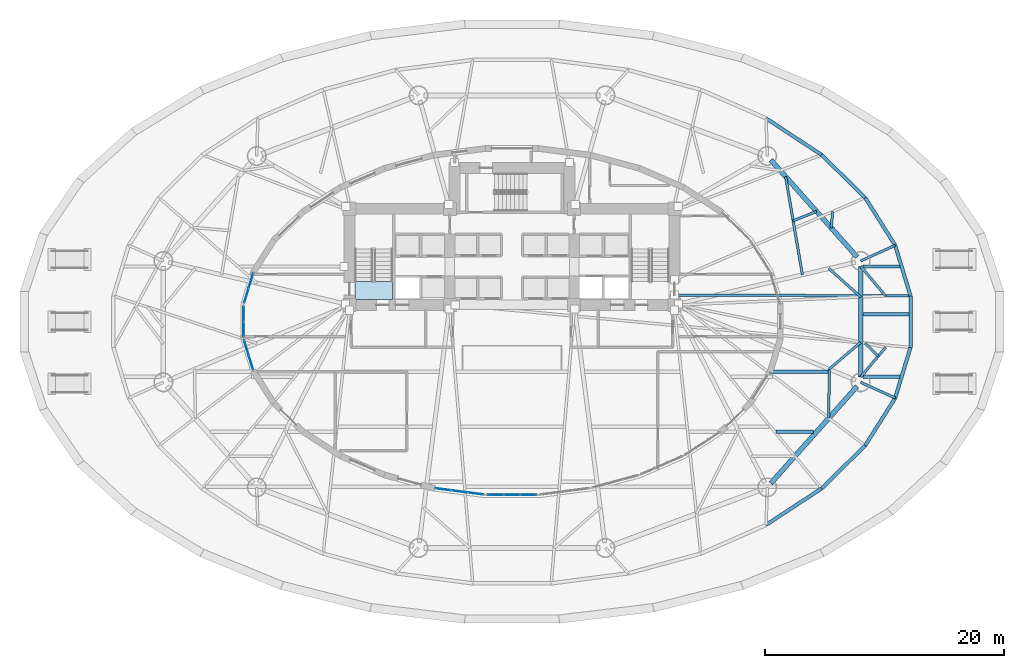
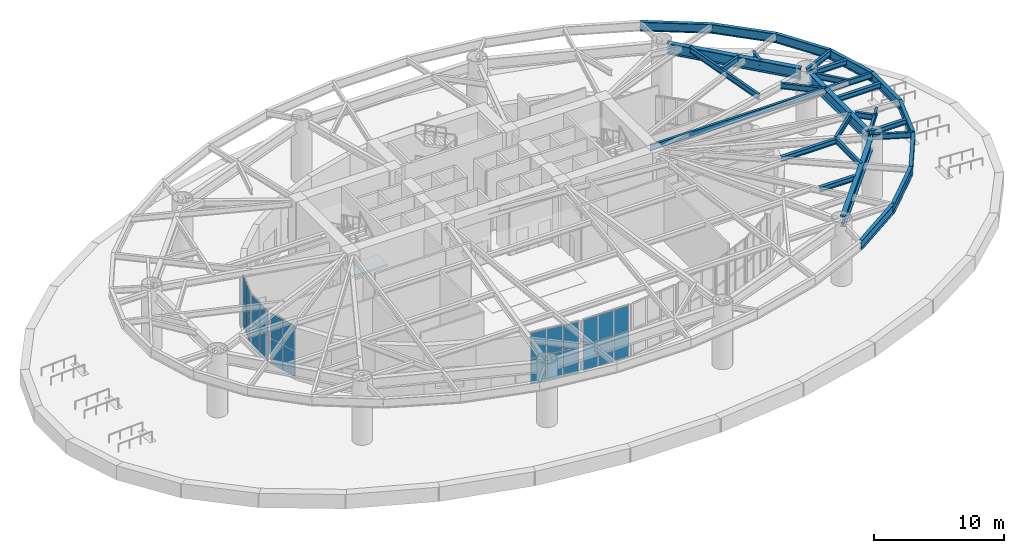
# One storey, part 10 of 21: 29 beams, 24 plates, 1 slab, 6 elements without a shape of their own.
"""IFC4 building model written with IfcOpenShell, lengths in metres."""

from ifc_helpers import new_model, si_unit, direction, frame, origin, origin_2d, place, context, subcontext, project, spatial, polyline, rectangle, i_section, outline, extrude, material, layer, layer_set, material_profile, profile_set, type_object, element, aggregate, save


model = new_model("IFC4")

# Units and contexts
model_context = context("Model", 3, precision=1e-05, world=origin(), true_north=direction((0.0, 1.0)))
body_context = subcontext(model_context, "Body", "Model", "MODEL_VIEW")
ifc_project = project(units=[si_unit("LENGTHUNIT", "METRE"), si_unit("AREAUNIT", "SQUARE_METRE"), si_unit("VOLUMEUNIT", "CUBIC_METRE"), si_unit("PLANEANGLEUNIT", "RADIAN"), si_unit("MASSUNIT", "GRAM", prefix="KILO")], contexts=[model_context])

# Site, building, storey
site_placement = place(None, origin())
site = spatial("IfcSite", under=ifc_project, at=site_placement, CompositionType="ELEMENT")
building_placement = place(site_placement, origin())
building = spatial("IfcBuilding", under=site, at=building_placement, Name="Keldmark Tower", CompositionType="ELEMENT")
storey_placement = place(building_placement, origin())
storey = spatial("IfcBuildingStorey", under=building, at=storey_placement, Name="L00", CompositionType="ELEMENT", Elevation=0.0)

# Beams
ifc_material_1 = material(Name="Steel ASTM A992 Grade 50", Category="steel")
ifc_material_profile_1 = material_profile(ifc_material_1, i_section(OverallWidth=0.280029296875, OverallDepth=0.462890625, WebThickness=0.0107421875, FlangeThickness=0.017333984375, at=origin_2d()), Name="W18X76")
ifc_profile_set_1 = profile_set([ifc_material_profile_1], Name="Steel ASTM A992 Grade 50")
beam_type_1 = type_object("IfcBeamType", Name="Composite Floor Joist W18X76", PredefinedType="JOIST", material=ifc_profile_set_1)
beam_1_placement = place(storey_placement, frame((22.09814453125, -9.199951171875, 5.548583984375), z_axis=(1.0, 0.0, 0.0), x_axis=(0.0, 1.0, 0.0)))
element("IfcBeam", 1, at=beam_1_placement, inside=storey, type_object=beam_type_1, Name="L00 Composite Floor Joist J16", PredefinedType="JOIST", context=body_context, shape_type="SweptSolid", body=[
    extrude(i_section(OverallWidth=0.280029296875, OverallDepth=0.462890625, WebThickness=0.0107421875, FlangeThickness=0.017333984375, at=origin_2d()), origin(), (0.0, 0.0, 1.0), 3.142822265625),
])
beam_2_placement = place(storey_placement, frame((21.55712890625, -4.179931640625, 5.548583984375), z_axis=(1.0, 0.0, 0.0), x_axis=(0.0, 1.0, 0.0)))
element("IfcBeam", 2, at=beam_2_placement, inside=storey, type_object=beam_type_1, Name="L00 Composite Floor Joist J24", PredefinedType="JOIST", context=body_context, shape_type="SweptSolid", body=[
    extrude(i_section(OverallWidth=0.280029296875, OverallDepth=0.462890625, WebThickness=0.0107421875, FlangeThickness=0.017333984375, at=origin_2d()), origin(), (0.0, 0.0, 1.0), 4.87646484375),
])
beam_3_placement = place(storey_placement, frame((29.363037109375, -4.60009765625, 5.548583984375), z_axis=(1.0, 0.0, 0.0), x_axis=(0.0, 1.0, 0.0)))
element("IfcBeam", 3, at=beam_3_placement, inside=storey, type_object=beam_type_1, Name="L00 Composite Floor Joist J25", PredefinedType="JOIST", context=body_context, shape_type="SweptSolid", body=[
    extrude(i_section(OverallWidth=0.280029296875, OverallDepth=0.462890625, WebThickness=0.0107421875, FlangeThickness=0.017333984375, at=origin_2d()), origin(), (0.0, 0.0, 1.0), 3.092041015625),
])
beam_4_placement = place(storey_placement, frame((29.363037109375, 0.6201171875, 5.548583984375), z_axis=(1.0, 0.0, 0.0), x_axis=(0.0, 1.0, 0.0)))
element("IfcBeam", 4, at=beam_4_placement, inside=storey, type_object=beam_type_1, Name="L00 Composite Floor Joist J26", PredefinedType="JOIST", context=body_context, shape_type="SweptSolid", body=[
    extrude(i_section(OverallWidth=0.280029296875, OverallDepth=0.462890625, WebThickness=0.0107421875, FlangeThickness=0.017333984375, at=origin_2d()), origin(), (0.0, 0.0, 1.0), 3.838623046875),
])
beam_5_placement = place(storey_placement, frame((29.363037109375, 4.6201171875, 5.548583984375), z_axis=(1.0, 0.0, 0.0), x_axis=(0.0, 1.0, 0.0)))
element("IfcBeam", 5, at=beam_5_placement, inside=storey, type_object=beam_type_1, Name="L00 Composite Floor Joist J29", PredefinedType="JOIST", context=body_context, shape_type="SweptSolid", body=[
    extrude(i_section(OverallWidth=0.280029296875, OverallDepth=0.462890625, WebThickness=0.0107421875, FlangeThickness=0.017333984375, at=origin_2d()), origin(), (0.0, 0.0, 1.0), 3.086181640625),
])
ifc_material_2 = material(Name="Steel ASTM A992 Grade 50", Category="steel")
ifc_material_profile_2 = material_profile(ifc_material_2, i_section(OverallWidth=0.402099609375, OverallDepth=1.011962890625, WebThickness=0.023681640625, FlangeThickness=0.0419921875, at=origin_2d()), Name="W40X297")
ifc_profile_set_2 = profile_set([ifc_material_profile_2], Name="Steel ASTM A992 Grade 50")
beam_type_2 = type_object("IfcBeamType", Name="Podium Primary Girder W40X297", PredefinedType="BEAM", material=ifc_profile_set_2)
for number, where, z_axis, x_axis, name in (
    (6, (28.871826171875, 5.4091796875, 5.27392578125), (-0.66464984112, 0.747154996436, 0.0), (-0.747154996436, -0.66464984112, 0.0), "L00 Podium Ring Girder PG-R01"),
    (7, (21.65380859375, -13.523193359375, 5.27392578125), (0.66464984112, 0.747154996436, 0.0), (-0.747154996436, 0.66464984112, 0.0), "L00 Podium Ring Girder PG-R11"),
):
    element("IfcBeam", number, at=place(storey_placement, frame(where, z_axis=z_axis, x_axis=x_axis)), inside=storey, type_object=beam_type_2, Name=name, PredefinedType="BEAM", context=body_context, shape_type="SweptSolid", body=[
        extrude(i_section(OverallWidth=0.402099609375, OverallDepth=1.011962890625, WebThickness=0.023681640625, FlangeThickness=0.0419921875, at=origin_2d()), origin(), (0.0, 0.0, 1.0), 10.85986328125),
    ])
beam_6_placement = place(storey_placement, frame((29.1708984375, -4.622802734375, 5.27392578125), z_axis=(0.0, 1.0, 0.0), x_axis=(-1.0, 0.0, 0.0)))
element("IfcBeam", 8, at=beam_6_placement, inside=storey, type_object=beam_type_2, Name="L00 Podium Ring Girder PG-R12", PredefinedType="BEAM", context=body_context, shape_type="SweptSolid", body=[
    extrude(i_section(OverallWidth=0.402099609375, OverallDepth=1.011962890625, WebThickness=0.023681640625, FlangeThickness=0.0419921875, at=origin_2d()), origin(), (0.0, 0.0, 1.0), 9.24560546875),
])
ifc_material_3 = material(Name="Steel ASTM A992 Grade 50", Category="steel")
ifc_material_profile_3 = material_profile(ifc_material_3, i_section(OverallWidth=0.2099609375, OverallDepth=0.537109375, WebThickness=0.010986328125, FlangeThickness=0.017333984375, at=origin_2d()), Name="W21X68")
ifc_profile_set_3 = profile_set([ifc_material_profile_3], Name="Steel ASTM A992 Grade 50")
beam_type_3 = type_object("IfcBeamType", Name="Radial Tie Girder W21X68", PredefinedType="BEAM", material=ifc_profile_set_3)
beam_7_placement = place(storey_placement, frame((24.29541015625, 3.9228515625, 5.511474609375), z_axis=(-0.168727090465, 0.985662806919, 0.0), x_axis=(-0.985662806919, -0.168727090465, 0.0)))
element("IfcBeam", 9, at=beam_7_placement, inside=storey, type_object=beam_type_3, Name="L00 Framing Pin Header PH-001", PredefinedType="BEAM", context=body_context, shape_type="SweptSolid", body=[
    extrude(i_section(OverallWidth=0.2099609375, OverallDepth=0.537109375, WebThickness=0.010986328125, FlangeThickness=0.017333984375, at=origin_2d()), origin(), (0.0, 0.0, 1.0), 8.330078125),
])
beam_8_placement = place(storey_placement, frame((23.522216796875, 8.438720703125, 5.511474609375), z_axis=(0.927707623582, 0.373307601246, 0.0), x_axis=(-0.373307601246, 0.927707623582, 0.0)))
element("IfcBeam", 10, at=beam_8_placement, inside=storey, type_object=beam_type_3, Name="L00 Framing Pin Header PH-003", PredefinedType="BEAM", context=body_context, shape_type="SweptSolid", body=[
    extrude(i_section(OverallWidth=0.2099609375, OverallDepth=0.537109375, WebThickness=0.010986328125, FlangeThickness=0.017333984375, at=origin_2d()), origin(), (0.0, 0.0, 1.0), 2.107177734375),
])
beam_9_placement = place(storey_placement, frame((26.51416015625, 4.4462890625, 5.511474609375), z_axis=(0.744612831235, -0.667496615392, 0.0), x_axis=(0.667496615392, 0.744612831235, 0.0)))
element("IfcBeam", 11, at=beam_9_placement, inside=storey, type_object=beam_type_3, Name="L00 Framing Pin Header PH-005", PredefinedType="BEAM", context=body_context, shape_type="SweptSolid", body=[
    extrude(i_section(OverallWidth=0.2099609375, OverallDepth=0.537109375, WebThickness=0.010986328125, FlangeThickness=0.017333984375, at=origin_2d()), origin(), (0.0, 0.0, 1.0), 3.56787109375),
])
beam_10_placement = place(storey_placement, frame((29.1708984375, 4.622802734375, 5.511474609375), z_axis=(0.645420110105, -0.763827782601, 0.0), x_axis=(0.763827782601, 0.645420110105, 0.0)))
element("IfcBeam", 12, at=beam_10_placement, inside=storey, type_object=beam_type_3, Name="L00 Local Collector Chord RT-01C", PredefinedType="BEAM", context=body_context, shape_type="SweptSolid", body=[
    extrude(i_section(OverallWidth=0.2099609375, OverallDepth=0.537109375, WebThickness=0.010986328125, FlangeThickness=0.017333984375, at=origin_2d()), origin(), (0.0, 0.0, 1.0), 3.228759765625),
])
beam_11_placement = place(storey_placement, frame((13.60009765625, 2.228515625, 5.511474609375), z_axis=(0.999993343278, -0.003648753061, 0.0), x_axis=(0.003648753061, 0.999993343278, 0.0)))
element("IfcBeam", 13, at=beam_11_placement, inside=storey, type_object=beam_type_3, Name="L00 Perimeter Radial Tie Girder RT-01", PredefinedType="BEAM", context=body_context, shape_type="SweptSolid", body=[
    extrude(i_section(OverallWidth=0.2099609375, OverallDepth=0.537109375, WebThickness=0.010986328125, FlangeThickness=0.017333984375, at=origin_2d()), origin(), (0.0, 0.0, 1.0), 19.73876953125),
])
beam_12_placement = place(storey_placement, frame((29.1708984375, 5.072998046875, 5.511474609375), z_axis=(0.910237250682, 0.414087125458, 0.0), x_axis=(-0.414087125458, 0.910237250682, 0.0)))
element("IfcBeam", 14, at=beam_12_placement, inside=storey, type_object=beam_type_3, Name="L00 Perimeter Column Bracket RT-02", PredefinedType="BEAM", context=body_context, shape_type="SweptSolid", body=[
    extrude(i_section(OverallWidth=0.2099609375, OverallDepth=0.537109375, WebThickness=0.010986328125, FlangeThickness=0.017333984375, at=origin_2d()), origin(), (0.0, 0.0, 1.0), 3.17138671875),
])
beam_13_placement = place(storey_placement, frame((26.706298828125, 7.84326171875, 5.511474609375), z_axis=(0.085228110201, 0.996361465148, 0.0), x_axis=(-0.996361465148, 0.085228110201, 0.0)))
element("IfcBeam", 15, at=beam_13_placement, inside=storey, type_object=beam_type_3, Name="L00 Framing Pin Header PH-006", PredefinedType="BEAM", context=body_context, shape_type="SweptSolid", body=[
    extrude(i_section(OverallWidth=0.2099609375, OverallDepth=0.537109375, WebThickness=0.010986328125, FlangeThickness=0.017333984375, at=origin_2d()), origin(), (0.0, 0.0, 1.0), 1.360595703125),
])
beam_14_placement = place(storey_placement, frame((26.53076171875, -3.975341796875, 5.511474609375), z_axis=(-0.005253345215, -0.999986201087, 0.0), x_axis=(0.999986201087, -0.005253345215, 0.0)))
element("IfcBeam", 16, at=beam_14_placement, inside=storey, type_object=beam_type_3, Name="L00 Framing Pin Header PH-023", PredefinedType="BEAM", context=body_context, shape_type="SweptSolid", body=[
    extrude(i_section(OverallWidth=0.2099609375, OverallDepth=0.537109375, WebThickness=0.010986328125, FlangeThickness=0.017333984375, at=origin_2d()), origin(), (0.0, 0.0, 1.0), 4.089599609375),
])
beam_15_placement = place(storey_placement, frame((29.1708984375, -5.072998046875, 5.511474609375), z_axis=(0.910237250682, -0.414087125458, 0.0), x_axis=(0.414087125458, 0.910237250682, 0.0)))
element("IfcBeam", 17, at=beam_15_placement, inside=storey, type_object=beam_type_3, Name="L00 Perimeter Column Bracket RT-31", PredefinedType="BEAM", context=body_context, shape_type="SweptSolid", body=[
    extrude(i_section(OverallWidth=0.2099609375, OverallDepth=0.537109375, WebThickness=0.010986328125, FlangeThickness=0.017333984375, at=origin_2d()), origin(), (0.0, 0.0, 1.0), 3.17138671875),
])
beam_16_placement = place(storey_placement, frame((26.53076171875, -3.975341796875, 5.511474609375), z_axis=(0.761136412742, 0.648591829426, 0.0), x_axis=(-0.648591829426, 0.761136412742, 0.0)))
element("IfcBeam", 18, at=beam_16_placement, inside=storey, type_object=beam_type_3, Name="L00 Framing Pin Header PH-024", PredefinedType="BEAM", context=body_context, shape_type="SweptSolid", body=[
    extrude(i_section(OverallWidth=0.2099609375, OverallDepth=0.537109375, WebThickness=0.010986328125, FlangeThickness=0.017333984375, at=origin_2d()), origin(), (0.0, 0.0, 1.0), 3.46875),
])
beam_17_placement = place(storey_placement, frame((29.1708984375, -4.622802734375, 5.511474609375), z_axis=(0.645420110105, 0.763827782601, 0.0), x_axis=(-0.763827782601, 0.645420110105, 0.0)))
element("IfcBeam", 19, at=beam_17_placement, inside=storey, type_object=beam_type_3, Name="L00 Local Collector Chord RT-32C", PredefinedType="BEAM", context=body_context, shape_type="SweptSolid", body=[
    extrude(i_section(OverallWidth=0.2099609375, OverallDepth=0.537109375, WebThickness=0.010986328125, FlangeThickness=0.017333984375, at=origin_2d()), origin(), (0.0, 0.0, 1.0), 3.228759765625),
])
beam_18_placement = place(storey_placement, frame((30.629638671875, -2.896240234375, 5.511474609375), z_axis=(-0.70607952817, 0.70813254402, 0.0), x_axis=(-0.70813254402, -0.70607952817, 0.0)))
element("IfcBeam", 20, at=beam_18_placement, inside=storey, type_object=beam_type_3, Name="L00 Framing Pin Header PH-025", PredefinedType="BEAM", context=body_context, shape_type="SweptSolid", body=[
    extrude(i_section(OverallWidth=0.2099609375, OverallDepth=0.537109375, WebThickness=0.010986328125, FlangeThickness=0.017333984375, at=origin_2d()), origin(), (0.0, 0.0, 1.0), 1.5458984375),
])
ifc_material_4 = material(Name="Steel ASTM A992 Grade 50", Category="steel")
ifc_material_profile_4 = material_profile(ifc_material_4, i_section(OverallWidth=0.2919921875, OverallDepth=0.85888671875, WebThickness=0.01708984375, FlangeThickness=0.031005859375, at=origin_2d()), Name="W33X169")
ifc_profile_set_4 = profile_set([ifc_material_profile_4], Name="Steel ASTM A992 Grade 50")
beam_type_4 = type_object("IfcBeamType", Name="Spandrel Ring Beam W33X169", PredefinedType="SPANDREL", material=ifc_profile_set_4)
beam_19_placement = place(storey_placement, frame((33.338623046875, 2.156494140625, 5.3505859375), z_axis=(-0.289855603468, 0.957070388811, 0.0), x_axis=(-0.957070388811, -0.289855603468, 0.0)))
element("IfcBeam", 21, at=beam_19_placement, inside=storey, type_object=beam_type_4, Name="L00 Perimeter Spandrel Ring Beam SRB-01", PredefinedType="SPANDREL", context=body_context, shape_type="SweptSolid", body=[
    extrude(i_section(OverallWidth=0.2919921875, OverallDepth=0.85888671875, WebThickness=0.01708984375, FlangeThickness=0.031005859375, at=origin_2d()), origin(), (0.0, 0.0, 1.0), 4.41943359375),
])
beam_20_placement = place(storey_placement, frame((32.0576171875, 6.38623046875, 5.3505859375), z_axis=(-0.53349762721, 0.845801561693, 0.0), x_axis=(-0.845801561693, -0.53349762721, 0.0)))
element("IfcBeam", 22, at=beam_20_placement, inside=storey, type_object=beam_type_4, Name="L00 Perimeter Spandrel Ring Beam SRB-02", PredefinedType="SPANDREL", context=body_context, shape_type="SweptSolid", body=[
    extrude(i_section(OverallWidth=0.2919921875, OverallDepth=0.85888671875, WebThickness=0.01708984375, FlangeThickness=0.031005859375, at=origin_2d()), origin(), (0.0, 0.0, 1.0), 4.710693359375),
])
beam_21_placement = place(storey_placement, frame((29.54443359375, 10.37060546875, 5.3505859375), z_axis=(-0.713165222071, 0.700995981464, 0.0), x_axis=(-0.700995981464, -0.713165222071, 0.0)))
element("IfcBeam", 23, at=beam_21_placement, inside=storey, type_object=beam_type_4, Name="L00 Perimeter Spandrel Ring Beam SRB-03", PredefinedType="SPANDREL", context=body_context, shape_type="SweptSolid", body=[
    extrude(i_section(OverallWidth=0.2919921875, OverallDepth=0.85888671875, WebThickness=0.01708984375, FlangeThickness=0.031005859375, at=origin_2d()), origin(), (0.0, 0.0, 1.0), 5.11572265625),
])
for number, where, z_axis, x_axis, name in (
    (24, (25.89599609375, 13.956787109375, 5.3505859375), (-0.835897322981, 0.548885840073, 0.0), (-0.548885840073, -0.835897322981, 0.0), "L00 Perimeter Spandrel Ring Beam SRB-04"),
    (25, (21.252197265625, -17.006103515625, 5.3505859375), (0.835897322981, 0.548885840073, 0.0), (-0.548885840073, 0.835897322981, 0.0), "L00 Perimeter Spandrel Ring Beam SRB-28"),
):
    element("IfcBeam", number, at=place(storey_placement, frame(where, z_axis=z_axis, x_axis=x_axis)), inside=storey, type_object=beam_type_4, Name=name, PredefinedType="SPANDREL", context=body_context, shape_type="SweptSolid", body=[
        extrude(i_section(OverallWidth=0.2919921875, OverallDepth=0.85888671875, WebThickness=0.01708984375, FlangeThickness=0.031005859375, at=origin_2d()), origin(), (0.0, 0.0, 1.0), 5.555419921875),
    ])
beam_22_placement = place(storey_placement, frame((25.89599609375, -13.956787109375, 5.3505859375), z_axis=(0.713165222071, 0.700995981464, 0.0), x_axis=(-0.700995981464, 0.713165222071, 0.0)))
element("IfcBeam", 26, at=beam_22_placement, inside=storey, type_object=beam_type_4, Name="L00 Perimeter Spandrel Ring Beam SRB-29", PredefinedType="SPANDREL", context=body_context, shape_type="SweptSolid", body=[
    extrude(i_section(OverallWidth=0.2919921875, OverallDepth=0.85888671875, WebThickness=0.01708984375, FlangeThickness=0.031005859375, at=origin_2d()), origin(), (0.0, 0.0, 1.0), 5.11572265625),
])
beam_23_placement = place(storey_placement, frame((29.54443359375, -10.37060546875, 5.3505859375), z_axis=(0.53349762721, 0.845801561693, 0.0), x_axis=(-0.845801561693, 0.53349762721, 0.0)))
element("IfcBeam", 27, at=beam_23_placement, inside=storey, type_object=beam_type_4, Name="L00 Perimeter Spandrel Ring Beam SRB-30", PredefinedType="SPANDREL", context=body_context, shape_type="SweptSolid", body=[
    extrude(i_section(OverallWidth=0.2919921875, OverallDepth=0.85888671875, WebThickness=0.01708984375, FlangeThickness=0.031005859375, at=origin_2d()), origin(), (0.0, 0.0, 1.0), 4.710693359375),
])
beam_24_placement = place(storey_placement, frame((32.0576171875, -6.38623046875, 5.3505859375), z_axis=(0.289855603468, 0.957070388811, 0.0), x_axis=(-0.957070388811, 0.289855603468, 0.0)))
element("IfcBeam", 28, at=beam_24_placement, inside=storey, type_object=beam_type_4, Name="L00 Perimeter Spandrel Ring Beam SRB-31", PredefinedType="SPANDREL", context=body_context, shape_type="SweptSolid", body=[
    extrude(i_section(OverallWidth=0.2919921875, OverallDepth=0.85888671875, WebThickness=0.01708984375, FlangeThickness=0.031005859375, at=origin_2d()), origin(), (0.0, 0.0, 1.0), 4.41943359375),
])
beam_25_placement = place(storey_placement, frame((33.338623046875, -2.156494140625, 5.3505859375), z_axis=(0.0, 1.0, 0.0), x_axis=(-1.0, 0.0, 0.0)))
element("IfcBeam", 29, at=beam_25_placement, inside=storey, type_object=beam_type_4, Name="L00 Perimeter Spandrel Ring Beam SRB-32", PredefinedType="SPANDREL", context=body_context, shape_type="SweptSolid", body=[
    extrude(i_section(OverallWidth=0.2919921875, OverallDepth=0.85888671875, WebThickness=0.01708984375, FlangeThickness=0.031005859375, at=origin_2d()), origin(), (0.0, 0.0, 1.0), 4.31298828125),
])

# Stair, slab
ifc_material_5 = material(Name="Concrete C40/50", Category="concrete")
stair_type = type_object("IfcStairType", Name="Precast Concrete Core Exit Stair", PredefinedType="HALF_TURN_STAIR", material=ifc_material_5)
stair_placement = place(storey_placement, origin())
stair = element("IfcStair", 30, at=stair_placement, inside=storey, type_object=stair_type, Name="L00 Exit Stair ST1", PredefinedType="HALF_TURN_STAIR")
ifc_material_6 = material(Name="Concrete C40/50", Category="concrete")
ifc_layer_1 = layer(ifc_material_6, 0.199951171875)
ifc_layer_set_1 = layer_set([ifc_layer_1], Name="Concrete C40/50")
slab_type = type_object("IfcSlabType", Name="Reinforced Concrete Stair Landing 200 mm", PredefinedType="LANDING", material=ifc_layer_set_1)
slab_placement = place(storey_placement, frame((0.0, 0.0, 2.800048828125)))
slab = element("IfcSlab", 31, at=slab_placement, type_object=slab_type, Name="ST1 landing 2", PredefinedType="LANDING", context=body_context, shape_type="SweptSolid", body=[
    extrude(outline(polyline([(-10.0, 1.85009765625), (-10.0, 3.3701171875), (-13.14990234375, 3.3701171875), (-13.14990234375, 1.85009765625), (-10.0, 1.85009765625)])), origin(), (0.0, 0.0, 1.0), 0.199951171875),
])
aggregate(stair, [slab])

# Curtain wall, plates
ifc_material_7 = material(Name="Unitized Thermally Broken Aluminum and Triple Low-E Glazing", Category="aluminium")
ifc_layer_2 = layer(ifc_material_7, 0.219970703125)
ifc_layer_set_2 = layer_set([ifc_layer_2], Name="Unitized Thermally Broken Aluminum and Triple Low-E Glazing")
curtain_wall_type_1 = type_object("IfcCurtainWallType", Name="Skyway Entry Glazed Curtain Wall System", PredefinedType="NOTDEFINED", material=ifc_layer_set_2)
curtain_wall_1_placement = place(storey_placement, origin())
curtain_wall_1 = element("IfcCurtainWall", 32, at=curtain_wall_1_placement, inside=storey, type_object=curtain_wall_type_1, Name="L00 Skyway Entry Glazed Curtain Wall System CW-L00-15", PredefinedType="NOTDEFINED")
ifc_material_8 = material(Name="Triple Silver Low-E Insulated Glass Unit", Category="glass")
ifc_layer_3 = layer(ifc_material_8, 0.035888671875)
ifc_layer_set_3 = layer_set([ifc_layer_3], Name="Triple Silver Low-E Insulated Glass Unit")
plate_type = type_object("IfcPlateType", Name="Triple Low-E Vision Glazing Panel 36 mm", PredefinedType="CURTAIN_PANEL", material=ifc_layer_set_3)
plate_1_placement = place(storey_placement, frame((-21.83154296875, 3.433349609375, 0.06005859375), z_axis=(0.0, 0.0, 1.0), x_axis=(-0.293022245671, -0.956105623633, 0.0)))
plate_1 = element("IfcPlate", 33, at=plate_1_placement, type_object=plate_type, Name="CW panel 1.1", PredefinedType="CURTAIN_PANEL", context=body_context, shape_type="SweptSolid", body=[
    extrude(rectangle(XDim=1.258056640625, YDim=0.035888671875, at=origin_2d()), origin(), (0.0, 0.0, 1.0), 2.364501953125),
])
plate_2_placement = place(storey_placement, frame((-21.83154296875, 3.433349609375, 2.484375), z_axis=(0.0, 0.0, 1.0), x_axis=(-0.293022245671, -0.956105623633, 0.0)))
plate_2 = element("IfcPlate", 34, at=plate_2_placement, type_object=plate_type, Name="CW panel 1.2", PredefinedType="CURTAIN_PANEL", context=body_context, shape_type="SweptSolid", body=[
    extrude(rectangle(XDim=1.258056640625, YDim=0.035888671875, at=origin_2d()), origin(), (0.0, 0.0, 1.0), 2.364501953125),
])
plate_3_placement = place(storey_placement, frame((-22.2177734375, 2.173095703125, 0.06005859375), z_axis=(0.0, 0.0, 1.0), x_axis=(-0.293022245671, -0.956105623633, 0.0)))
plate_3 = element("IfcPlate", 35, at=plate_3_placement, type_object=plate_type, Name="CW panel 2.1", PredefinedType="CURTAIN_PANEL", context=body_context, shape_type="SweptSolid", body=[
    extrude(rectangle(XDim=1.258056640625, YDim=0.035888671875, at=origin_2d()), origin(), (0.0, 0.0, 1.0), 2.364501953125),
])
plate_4_placement = place(storey_placement, frame((-22.2177734375, 2.173095703125, 2.484375), z_axis=(0.0, 0.0, 1.0), x_axis=(-0.293022245671, -0.956105623633, 0.0)))
plate_4 = element("IfcPlate", 36, at=plate_4_placement, type_object=plate_type, Name="CW panel 2.2", PredefinedType="CURTAIN_PANEL", context=body_context, shape_type="SweptSolid", body=[
    extrude(rectangle(XDim=1.258056640625, YDim=0.035888671875, at=origin_2d()), origin(), (0.0, 0.0, 1.0), 2.364501953125),
])
aggregate(curtain_wall_1, [plate_1, plate_2, plate_3, plate_4])

curtain_wall_2_placement = place(storey_placement, origin())
curtain_wall_2 = element("IfcCurtainWall", 37, at=curtain_wall_2_placement, inside=storey, type_object=curtain_wall_type_1, Name="L00 Skyway Entry Glazed Curtain Wall System CW-L00-16", PredefinedType="NOTDEFINED")
plate_5_placement = place(storey_placement, frame((-22.4501953125, 0.640380859375, 0.06005859375), z_axis=(0.0, 0.0, 1.0), x_axis=(0.0, -1.0, 0.0)))
plate_5 = element("IfcPlate", 38, at=plate_5_placement, type_object=plate_type, Name="CW panel 1.1", PredefinedType="CURTAIN_PANEL", context=body_context, shape_type="SweptSolid", body=[
    extrude(rectangle(XDim=1.220703125, YDim=0.035888671875, at=origin_2d()), origin(), (0.0, 0.0, 1.0), 2.364501953125),
])
plate_6_placement = place(storey_placement, frame((-22.4501953125, 0.640380859375, 2.484375), z_axis=(0.0, 0.0, 1.0), x_axis=(0.0, -1.0, 0.0)))
plate_6 = element("IfcPlate", 39, at=plate_6_placement, type_object=plate_type, Name="CW panel 1.2", PredefinedType="CURTAIN_PANEL", context=body_context, shape_type="SweptSolid", body=[
    extrude(rectangle(XDim=1.220703125, YDim=0.035888671875, at=origin_2d()), origin(), (0.0, 0.0, 1.0), 2.364501953125),
])
plate_7_placement = place(storey_placement, frame((-22.4501953125, -0.640380859375, 0.06005859375), z_axis=(0.0, 0.0, 1.0), x_axis=(0.0, -1.0, 0.0)))
plate_7 = element("IfcPlate", 40, at=plate_7_placement, type_object=plate_type, Name="CW panel 2.1", PredefinedType="CURTAIN_PANEL", context=body_context, shape_type="SweptSolid", body=[
    extrude(rectangle(XDim=1.220703125, YDim=0.035888671875, at=origin_2d()), origin(), (0.0, 0.0, 1.0), 2.364501953125),
])
plate_8_placement = place(storey_placement, frame((-22.4501953125, -0.640380859375, 2.484375), z_axis=(0.0, 0.0, 1.0), x_axis=(0.0, -1.0, 0.0)))
plate_8 = element("IfcPlate", 41, at=plate_8_placement, type_object=plate_type, Name="CW panel 2.2", PredefinedType="CURTAIN_PANEL", context=body_context, shape_type="SweptSolid", body=[
    extrude(rectangle(XDim=1.220703125, YDim=0.035888671875, at=origin_2d()), origin(), (0.0, 0.0, 1.0), 2.364501953125),
])
aggregate(curtain_wall_2, [plate_5, plate_6, plate_7, plate_8])

curtain_wall_3_placement = place(storey_placement, origin())
curtain_wall_3 = element("IfcCurtainWall", 42, at=curtain_wall_3_placement, inside=storey, type_object=curtain_wall_type_1, Name="L00 Skyway Entry Glazed Curtain Wall System CW-L00-17", PredefinedType="NOTDEFINED")
plate_9_placement = place(storey_placement, frame((-22.2177734375, -2.173095703125, 0.06005859375), z_axis=(0.0, 0.0, 1.0), x_axis=(0.293022245671, -0.956105623633, 0.0)))
plate_9 = element("IfcPlate", 43, at=plate_9_placement, type_object=plate_type, Name="CW panel 1.1", PredefinedType="CURTAIN_PANEL", context=body_context, shape_type="SweptSolid", body=[
    extrude(rectangle(XDim=1.258056640625, YDim=0.035888671875, at=origin_2d()), origin(), (0.0, 0.0, 1.0), 2.364501953125),
])
plate_10_placement = place(storey_placement, frame((-22.2177734375, -2.173095703125, 2.484375), z_axis=(0.0, 0.0, 1.0), x_axis=(0.293022245671, -0.956105623633, 0.0)))
plate_10 = element("IfcPlate", 44, at=plate_10_placement, type_object=plate_type, Name="CW panel 1.2", PredefinedType="CURTAIN_PANEL", context=body_context, shape_type="SweptSolid", body=[
    extrude(rectangle(XDim=1.258056640625, YDim=0.035888671875, at=origin_2d()), origin(), (0.0, 0.0, 1.0), 2.364501953125),
])
plate_11_placement = place(storey_placement, frame((-21.83154296875, -3.433349609375, 0.06005859375), z_axis=(0.0, 0.0, 1.0), x_axis=(0.293022245671, -0.956105623633, 0.0)))
plate_11 = element("IfcPlate", 45, at=plate_11_placement, type_object=plate_type, Name="CW panel 2.1", PredefinedType="CURTAIN_PANEL", context=body_context, shape_type="SweptSolid", body=[
    extrude(rectangle(XDim=1.258056640625, YDim=0.035888671875, at=origin_2d()), origin(), (0.0, 0.0, 1.0), 2.364501953125),
])
plate_12_placement = place(storey_placement, frame((-21.83154296875, -3.433349609375, 2.484375), z_axis=(0.0, 0.0, 1.0), x_axis=(0.293022245671, -0.956105623633, 0.0)))
plate_12 = element("IfcPlate", 46, at=plate_12_placement, type_object=plate_type, Name="CW panel 2.2", PredefinedType="CURTAIN_PANEL", context=body_context, shape_type="SweptSolid", body=[
    extrude(rectangle(XDim=1.258056640625, YDim=0.035888671875, at=origin_2d()), origin(), (0.0, 0.0, 1.0), 2.364501953125),
])
aggregate(curtain_wall_3, [plate_9, plate_10, plate_11, plate_12])

ifc_material_9 = material(Name="Unitized Thermally Broken Aluminum and Triple Low-E Glazing", Category="aluminium")
ifc_layer_4 = layer(ifc_material_9, 0.219970703125)
ifc_layer_set_4 = layer_set([ifc_layer_4], Name="Unitized Thermally Broken Aluminum and Triple Low-E Glazing")
curtain_wall_type_2 = type_object("IfcCurtainWallType", Name="Podium Wintergarden Curtain Wall System", PredefinedType="NOTDEFINED", material=ifc_layer_set_4)
curtain_wall_4_placement = place(storey_placement, origin())
curtain_wall_4 = element("IfcCurtainWall", 47, at=curtain_wall_4_placement, inside=storey, type_object=curtain_wall_type_2, Name="L00 Podium Wintergarden Curtain Wall System CW-L00-23", PredefinedType="NOTDEFINED")
plate_13_placement = place(storey_placement, frame((-5.749755859375, -14.032958984375, 0.06005859375), z_axis=(0.0, 0.0, 1.0), x_axis=(0.991766193683, -0.128061770519, 0.0)))
plate_13 = element("IfcPlate", 48, at=plate_13_placement, type_object=plate_type, Name="CW panel 1.1", PredefinedType="CURTAIN_PANEL", context=body_context, shape_type="SweptSolid", body=[
    extrude(rectangle(XDim=1.2900390625, YDim=0.035888671875, at=origin_2d()), origin(), (0.0, 0.0, 1.0), 2.364501953125),
])
plate_14_placement = place(storey_placement, frame((-5.749755859375, -14.032958984375, 2.484375), z_axis=(0.0, 0.0, 1.0), x_axis=(0.991766193683, -0.128061770519, 0.0)))
plate_14 = element("IfcPlate", 49, at=plate_14_placement, type_object=plate_type, Name="CW panel 1.2", PredefinedType="CURTAIN_PANEL", context=body_context, shape_type="SweptSolid", body=[
    extrude(rectangle(XDim=1.2900390625, YDim=0.035888671875, at=origin_2d()), origin(), (0.0, 0.0, 1.0), 2.364501953125),
])
plate_15_placement = place(storey_placement, frame((-4.39599609375, -14.207763671875, 0.06005859375), z_axis=(0.0, 0.0, 1.0), x_axis=(0.991766193683, -0.128061770519, 0.0)))
plate_15 = element("IfcPlate", 50, at=plate_15_placement, type_object=plate_type, Name="CW panel 2.1", PredefinedType="CURTAIN_PANEL", context=body_context, shape_type="SweptSolid", body=[
    extrude(rectangle(XDim=1.320068359375, YDim=0.035888671875, at=origin_2d()), origin(), (0.0, 0.0, 1.0), 2.364501953125),
])
plate_16_placement = place(storey_placement, frame((-4.39599609375, -14.207763671875, 2.484375), z_axis=(0.0, 0.0, 1.0), x_axis=(0.991766193683, -0.128061770519, 0.0)))
plate_16 = element("IfcPlate", 51, at=plate_16_placement, type_object=plate_type, Name="CW panel 2.2", PredefinedType="CURTAIN_PANEL", context=body_context, shape_type="SweptSolid", body=[
    extrude(rectangle(XDim=1.320068359375, YDim=0.035888671875, at=origin_2d()), origin(), (0.0, 0.0, 1.0), 2.364501953125),
])
plate_17_placement = place(storey_placement, frame((-3.042236328125, -14.382568359375, 0.06005859375), z_axis=(0.0, 0.0, 1.0), x_axis=(0.991766193683, -0.128061770519, 0.0)))
plate_17 = element("IfcPlate", 52, at=plate_17_placement, type_object=plate_type, Name="CW panel 3.1", PredefinedType="CURTAIN_PANEL", context=body_context, shape_type="SweptSolid", body=[
    extrude(rectangle(XDim=1.2900390625, YDim=0.035888671875, at=origin_2d()), origin(), (0.0, 0.0, 1.0), 2.364501953125),
])
plate_18_placement = place(storey_placement, frame((-3.042236328125, -14.382568359375, 2.484375), z_axis=(0.0, 0.0, 1.0), x_axis=(0.991766193683, -0.128061770519, 0.0)))
plate_18 = element("IfcPlate", 53, at=plate_18_placement, type_object=plate_type, Name="CW panel 3.2", PredefinedType="CURTAIN_PANEL", context=body_context, shape_type="SweptSolid", body=[
    extrude(rectangle(XDim=1.2900390625, YDim=0.035888671875, at=origin_2d()), origin(), (0.0, 0.0, 1.0), 2.364501953125),
])
aggregate(curtain_wall_4, [plate_13, plate_14, plate_15, plate_16, plate_17, plate_18])

curtain_wall_5_placement = place(storey_placement, origin())
curtain_wall_5 = element("IfcCurtainWall", 54, at=curtain_wall_5_placement, inside=storey, type_object=curtain_wall_type_2, Name="L00 Podium Wintergarden Curtain Wall System CW-L00-24", PredefinedType="NOTDEFINED")
plate_19_placement = place(storey_placement, frame((-1.381591796875, -14.48876953125, 0.06005859375), z_axis=(0.0, 0.0, 1.0), x_axis=(1.0, 0.0, 0.0)))
plate_19 = element("IfcPlate", 55, at=plate_19_placement, type_object=plate_type, Name="CW panel 1.1", PredefinedType="CURTAIN_PANEL", context=body_context, shape_type="SweptSolid", body=[
    extrude(rectangle(XDim=1.306640625, YDim=0.035888671875, at=origin_2d()), origin(), (0.0, 0.0, 1.0), 2.364501953125),
])
plate_20_placement = place(storey_placement, frame((-1.381591796875, -14.48876953125, 2.484375), z_axis=(0.0, 0.0, 1.0), x_axis=(1.0, 0.0, 0.0)))
plate_20 = element("IfcPlate", 56, at=plate_20_placement, type_object=plate_type, Name="CW panel 1.2", PredefinedType="CURTAIN_PANEL", context=body_context, shape_type="SweptSolid", body=[
    extrude(rectangle(XDim=1.306640625, YDim=0.035888671875, at=origin_2d()), origin(), (0.0, 0.0, 1.0), 2.364501953125),
])
plate_21_placement = place(storey_placement, frame((0.0, -14.48876953125, 0.06005859375), z_axis=(0.0, 0.0, 1.0), x_axis=(1.0, 0.0, 0.0)))
plate_21 = element("IfcPlate", 57, at=plate_21_placement, type_object=plate_type, Name="CW panel 2.1", PredefinedType="CURTAIN_PANEL", context=body_context, shape_type="SweptSolid", body=[
    extrude(rectangle(XDim=1.33642578125, YDim=0.035888671875, at=origin_2d()), origin(), (0.0, 0.0, 1.0), 2.364501953125),
])
plate_22_placement = place(storey_placement, frame((0.0, -14.48876953125, 2.484375), z_axis=(0.0, 0.0, 1.0), x_axis=(1.0, 0.0, 0.0)))
plate_22 = element("IfcPlate", 58, at=plate_22_placement, type_object=plate_type, Name="CW panel 2.2", PredefinedType="CURTAIN_PANEL", context=body_context, shape_type="SweptSolid", body=[
    extrude(rectangle(XDim=1.33642578125, YDim=0.035888671875, at=origin_2d()), origin(), (0.0, 0.0, 1.0), 2.364501953125),
])
plate_23_placement = place(storey_placement, frame((1.381591796875, -14.48876953125, 0.06005859375), z_axis=(0.0, 0.0, 1.0), x_axis=(1.0, 0.0, 0.0)))
plate_23 = element("IfcPlate", 59, at=plate_23_placement, type_object=plate_type, Name="CW panel 3.1", PredefinedType="CURTAIN_PANEL", context=body_context, shape_type="SweptSolid", body=[
    extrude(rectangle(XDim=1.306640625, YDim=0.035888671875, at=origin_2d()), origin(), (0.0, 0.0, 1.0), 2.364501953125),
])
plate_24_placement = place(storey_placement, frame((1.381591796875, -14.48876953125, 2.484375), z_axis=(0.0, 0.0, 1.0), x_axis=(1.0, 0.0, 0.0)))
plate_24 = element("IfcPlate", 60, at=plate_24_placement, type_object=plate_type, Name="CW panel 3.2", PredefinedType="CURTAIN_PANEL", context=body_context, shape_type="SweptSolid", body=[
    extrude(rectangle(XDim=1.306640625, YDim=0.035888671875, at=origin_2d()), origin(), (0.0, 0.0, 1.0), 2.364501953125),
])
aggregate(curtain_wall_5, [plate_19, plate_20, plate_21, plate_22, plate_23, plate_24])

save(model, "model.ifc")
